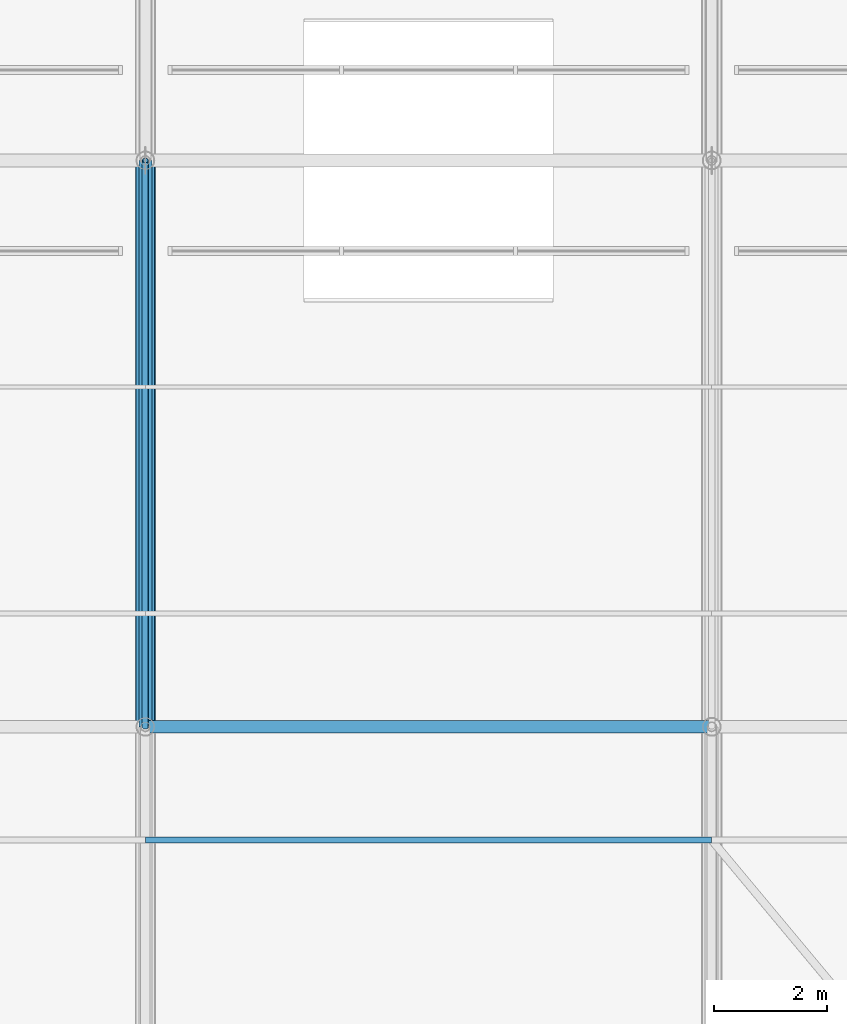
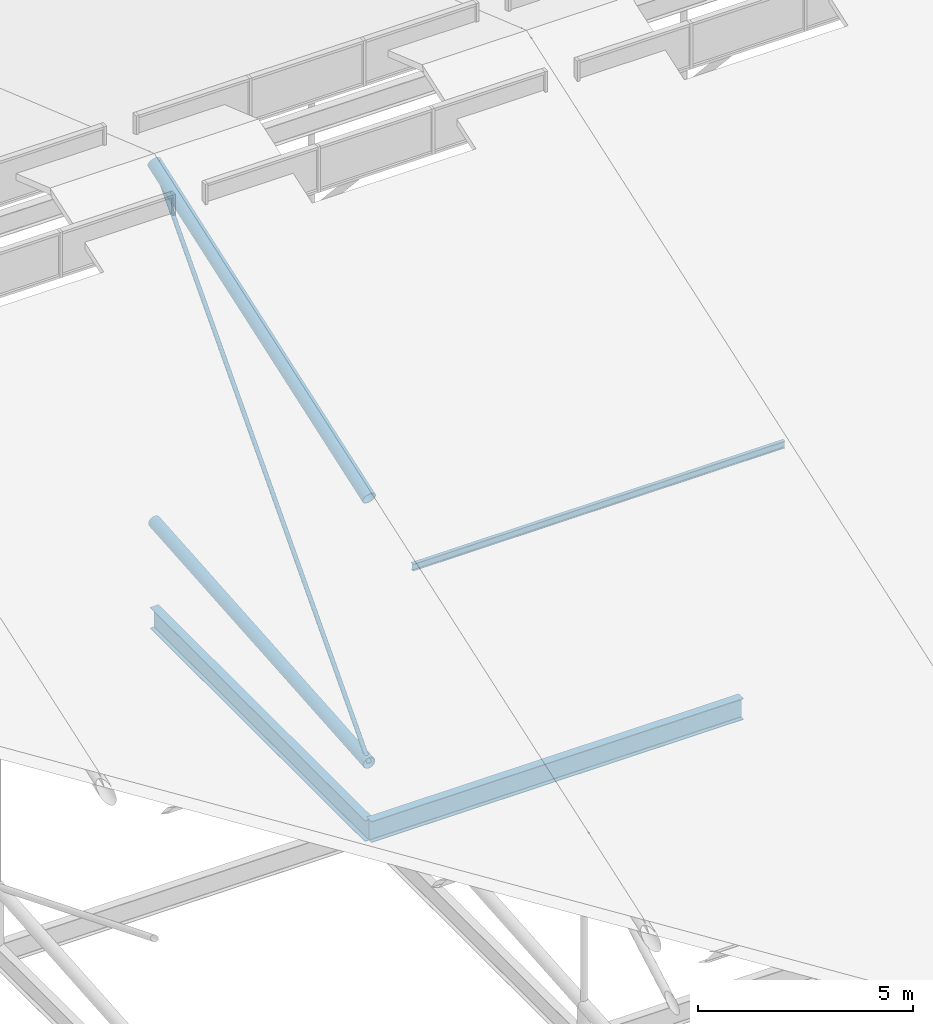
# One storey, part 25 of 93: 4 members, 2 beams.
"""IFC4 building model written with IfcOpenShell, lengths in metres."""

from ifc_helpers import new_model, si_unit, derived_unit, direction, frame, origin, origin_2d_with_axis, place, context, subcontext, project, spatial, hollow_circle, i_section, extrude, material, material_profile, profile_set, type_object, element, save


model = new_model("IFC4")

# Units and contexts
model_context = context("Model", 3, precision=1e-05, world=origin(), true_north=direction((0.0, 1.0)))
body_context = subcontext(model_context, "Body", "Model", "MODEL_VIEW")
ifc_project = project(units=[si_unit("LENGTHUNIT", "METRE"), si_unit("AREAUNIT", "SQUARE_METRE"), si_unit("VOLUMEUNIT", "CUBIC_METRE"), si_unit("PLANEANGLEUNIT", "RADIAN"), si_unit("MASSUNIT", "GRAM", prefix="KILO"), derived_unit("THERMALTRANSMITTANCEUNIT", [(si_unit("POWERUNIT", "WATT"), 1), (si_unit("LENGTHUNIT", "METRE"), -2), (si_unit("THERMODYNAMICTEMPERATUREUNIT", "KELVIN"), -1)])], contexts=[model_context])

# Site, building, storey
site_placement = place(None, origin())
site = spatial("IfcSite", under=ifc_project, at=site_placement, CompositionType="ELEMENT")
building_placement = place(site_placement, origin())
building = spatial("IfcBuilding", under=site, at=building_placement, Name="Cinnabar Yard Market Hall", CompositionType="ELEMENT")
storey_placement = place(building_placement, frame((0.0, 0.0, 23.800048828125)))
storey = spatial("IfcBuildingStorey", under=building, at=storey_placement, Name="ROOF", CompositionType="ELEMENT", Elevation=23.800048828125)

# Beams
ifc_material_1 = material(Name="Steel Grade 300 (300 MPa)", Category="steel")
ifc_material_profile_1 = material_profile(ifc_material_1, i_section(OverallWidth=0.22802734375, OverallDepth=0.60205078125, WebThickness=0.010498046875, FlangeThickness=0.014892578125, FilletRadius=0.013916015625, at=origin_2d_with_axis()), Name="610UB101")
ifc_profile_set_1 = profile_set([ifc_material_profile_1], Name="Steel Grade 300 (300 MPa)")
beam_type = type_object("IfcBeamType", Name="BM-B02", PredefinedType="BEAM", material=ifc_profile_set_1)
for number, where, z_axis, x_axis, name in (
    (1, (126.0, 34.0, -9.700927734375), (1.0, 0.0, 0.0), (0.0, 1.0, 0.0), "Hall Longitudinal Tie Girder 00385"),
    (2, (126.0, 34.0, -9.700927734375), (0.0, 1.0, 0.0), (-1.0, 0.0, 0.0), "Hall Transverse Tie Girder 00433"),
):
    element("IfcBeam", number, at=place(storey_placement, frame(where, z_axis=z_axis, x_axis=x_axis)), inside=storey, type_object=beam_type, Name=name, PredefinedType="BEAM", context=body_context, shape_type="SweptSolid", body=[
        extrude(i_section(OverallWidth=0.22802734375, OverallDepth=0.60205078125, WebThickness=0.010498046875, FlangeThickness=0.014892578125, FilletRadius=0.013916015625, at=origin_2d_with_axis()), origin(), (0.0, 0.0, 1.0), 10.0),
    ])

# Members
ifc_material_2 = material(Name="Cold-formed steel C350L0", Category="steel")
ifc_material_profile_2 = material_profile(ifc_material_2, hollow_circle(Radius=0.161865234375, WallThickness=0.009521484375, at=origin_2d_with_axis()), Name="323.9x9.5CHS")
ifc_profile_set_2 = profile_set([ifc_material_profile_2], Name="Cold-formed steel C350L0")
member_type_1 = type_object("IfcMemberType", Name="MB-BC01", PredefinedType="CHORD", material=ifc_profile_set_2)
member_1_placement = place(storey_placement, frame((126.0, 34.0, -7.800048828125), z_axis=(0.0, 0.99681489162, 0.07975005859), x_axis=(-1.0, 0.0, 0.0)))
element("IfcMember", 3, at=member_1_placement, inside=storey, type_object=member_type_1, Name="Hall Truss 126 Bottom Chord 3", PredefinedType="CHORD", context=body_context, shape_type="SweptSolid", body=[
    extrude(hollow_circle(Radius=0.161865234375, WallThickness=0.009521484375, at=origin_2d_with_axis()), origin(), (0.0, 0.0, 1.0), 10.031982421875),
])
ifc_material_profile_3 = material_profile(ifc_material_2, hollow_circle(Radius=0.05712890625, WallThickness=0.006103515625, at=origin_2d_with_axis()), Name="114.3x6.0CHS")
ifc_profile_set_3 = profile_set([ifc_material_profile_3], Name="Cold-formed steel C350L0")
member_type_2 = type_object("IfcMemberType", Name="MB-DG03", PredefinedType="BRACE", material=ifc_profile_set_3)
member_2_placement = place(storey_placement, frame((126.0, 34.0, -7.800048828125), z_axis=(0.0, 0.672672793996, 0.739940073396), x_axis=(-1.0, 0.0, 0.0)))
element("IfcMember", 4, at=member_2_placement, inside=storey, type_object=member_type_2, Name="Hall Truss 126 Diagonal 3", PredefinedType="BRACE", context=body_context, shape_type="SweptSolid", body=[
    extrude(hollow_circle(Radius=0.05712890625, WallThickness=0.006103515625, at=origin_2d_with_axis()), origin(), (0.0, 0.0, 1.0), 14.865966796875),
])
ifc_material_profile_4 = material_profile(ifc_material_1, i_section(OverallWidth=0.09912109375, OverallDepth=0.197998046875, WebThickness=0.00439453125, FlangeThickness=0.007080078125, FilletRadius=0.0087890625, at=origin_2d_with_axis()), Name="200UB18.2")
ifc_profile_set_4 = profile_set([ifc_material_profile_4], Name="Steel Grade 300 (300 MPa)")
member_type_3 = type_object("IfcMemberType", Name="MB-PU05", PredefinedType="PURLIN", material=ifc_profile_set_4)
member_3_placement = place(storey_placement, frame((126.0, 32.0, -1.016845703125), z_axis=(1.0, 0.0, 0.0), x_axis=(0.0, 1.0, 0.0)))
element("IfcMember", 5, at=member_3_placement, inside=storey, type_object=member_type_3, Name="Hall Roof Purlin Y32 X126", PredefinedType="PURLIN", context=body_context, shape_type="SweptSolid", body=[
    extrude(i_section(OverallWidth=0.09912109375, OverallDepth=0.197998046875, WebThickness=0.00439453125, FlangeThickness=0.007080078125, FilletRadius=0.0087890625, at=origin_2d_with_axis()), origin(), (0.0, 0.0, 1.0), 10.0),
])
ifc_material_profile_5 = material_profile(ifc_material_2, hollow_circle(Radius=0.177734375, WallThickness=0.0126953125, at=origin_2d_with_axis()), Name="355.6x12.7CHS")
ifc_profile_set_5 = profile_set([ifc_material_profile_5], Name="Cold-formed steel C350L0")
member_type_4 = type_object("IfcMemberType", Name="MB-TC01", PredefinedType="CHORD", material=ifc_profile_set_5)
member_4_placement = place(storey_placement, frame((126.0, 34.0, -0.28076171875), z_axis=(0.0, 0.944424919483, 0.328727199147), x_axis=(-1.0, 0.0, 0.0)))
element("IfcMember", 6, at=member_4_placement, inside=storey, type_object=member_type_4, Name="Hall Truss 126 Top Chord 3", PredefinedType="CHORD", context=body_context, shape_type="SweptSolid", body=[
    extrude(hollow_circle(Radius=0.177734375, WallThickness=0.0126953125, at=origin_2d_with_axis()), origin(), (0.0, 0.0, 1.0), 10.58837890625),
])

save(model, "model.ifc")
